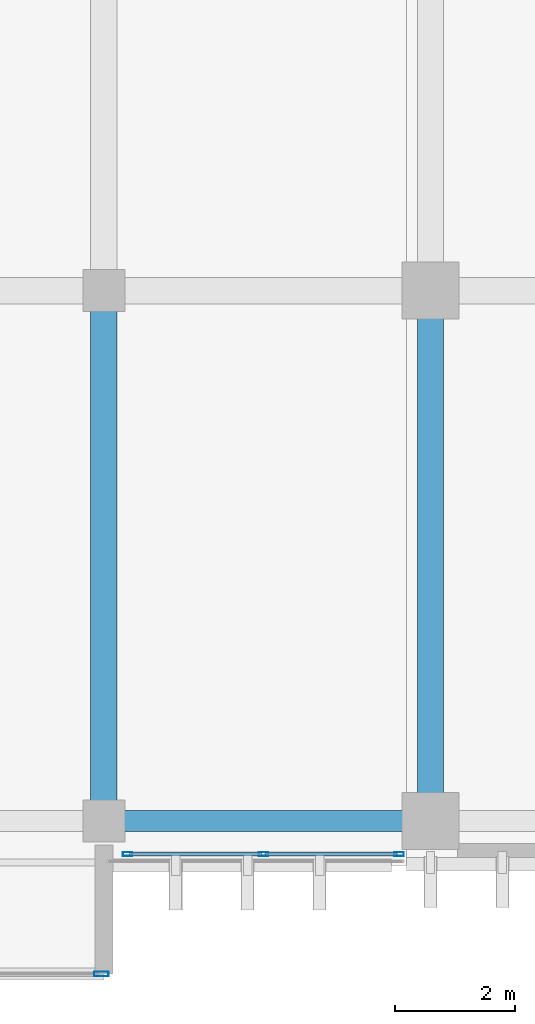
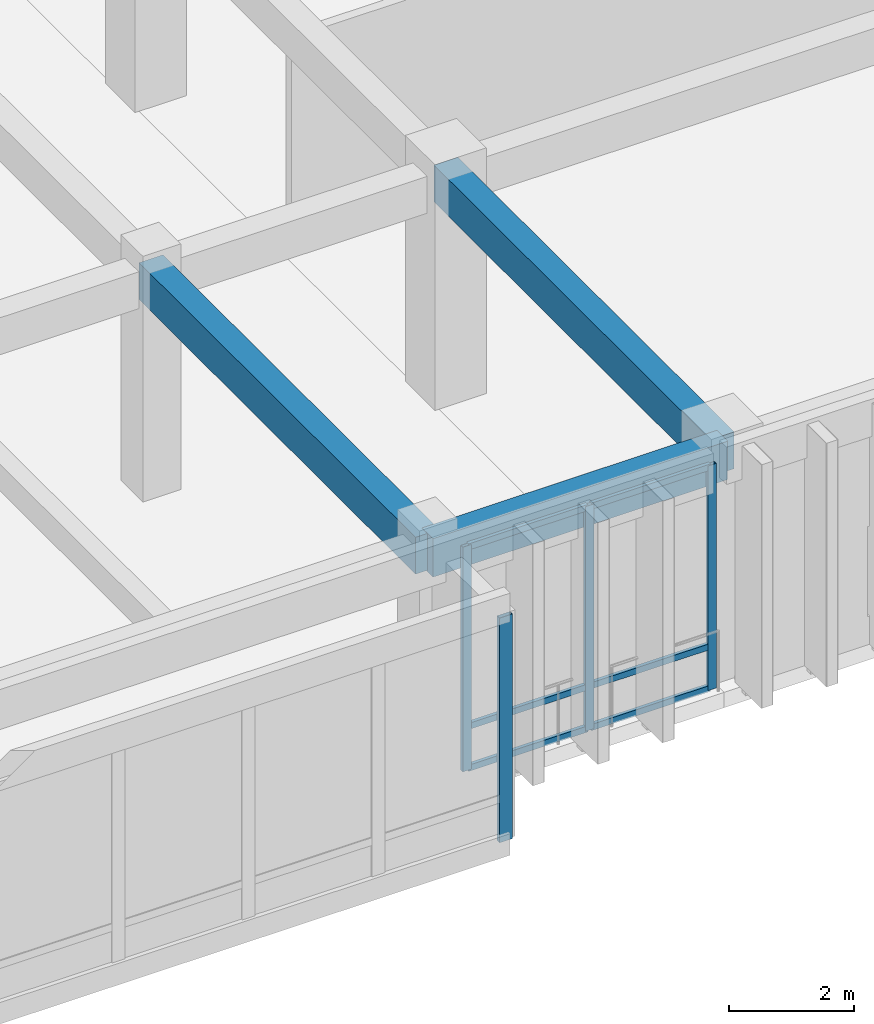
# One storey, part 55 of 133: 10 members, 3 beams, 2 elements without a shape of their own.
"""IFC4 building model written with IfcOpenShell, lengths in metres."""

from ifc_helpers import new_model, si_unit, direction, frame, origin, origin_2d, place, context, subcontext, project, spatial, rectangle, hollow_rectangle, extrude, material, layer, layer_set, material_profile, profile_set, type_object, element, aggregate, save


model = new_model("IFC4")

# Units and contexts
model_context = context("Model", 3, precision=1e-05, world=origin(), true_north=direction((0.0, 1.0)))
body_context = subcontext(model_context, "Body", "Model", "MODEL_VIEW")
ifc_project = project(units=[si_unit("LENGTHUNIT", "METRE"), si_unit("AREAUNIT", "SQUARE_METRE"), si_unit("VOLUMEUNIT", "CUBIC_METRE"), si_unit("PLANEANGLEUNIT", "RADIAN"), si_unit("MASSUNIT", "GRAM", prefix="KILO")], contexts=[model_context])

# Site, building, storey
site_placement = place(None, origin())
site = spatial("IfcSite", under=ifc_project, at=site_placement, CompositionType="ELEMENT")
building_placement = place(site_placement, origin())
building = spatial("IfcBuilding", under=site, at=building_placement, Name="Nakhvara Creek Congress Hotel", CompositionType="ELEMENT")
storey_placement = place(building_placement, frame((0.0, 0.0, 11.39990234375)))
storey = spatial("IfcBuildingStorey", under=building, at=storey_placement, Name="L02", CompositionType="ELEMENT", Elevation=11.39990234375)

# Beams
ifc_material_1 = material(Name="Concrete C40/50", Category="concrete")
ifc_material_profile_1 = material_profile(ifc_material_1, rectangle(XDim=0.43994140625, YDim=0.719970703125, at=origin_2d()), Name="RC-BM 440x720", Category="LoadBearing")
ifc_profile_set_1 = profile_set([ifc_material_profile_1], Name="Concrete C40/50")
beam_type_1 = type_object("IfcBeamType", Name="BM-RC-440X720", PredefinedType="BEAM", material=ifc_profile_set_1)
for number, where, z_axis, x_axis, name in (
    (1, (144.0, 0.75, 4.06005859375), (0.0, 1.0, 0.0), (-1.0, 0.0, 0.0), "Beam B12-L02-1556"),
    (2, (149.449951171875, 0.75, 4.06005859375), (0.0, 1.0, 0.0), (-1.0, 0.0, 0.0), "Beam B12-L02-1574"),
):
    element("IfcBeam", number, at=place(storey_placement, frame(where, z_axis=z_axis, x_axis=x_axis)), inside=storey, type_object=beam_type_1, Name=name, PredefinedType="BEAM", context=body_context, shape_type="SweptSolid", body=[
        extrude(rectangle(XDim=0.43994140625, YDim=0.719970703125, at=origin_2d()), origin(), (0.0, 0.0, 1.0), 8.85009765625),
    ])
ifc_material_profile_2 = material_profile(ifc_material_1, rectangle(XDim=0.35009765625, YDim=0.75, at=origin_2d()), Name="RC-SPANDREL 350x750", Category="LoadBearing")
ifc_profile_set_2 = profile_set([ifc_material_profile_2], Name="Concrete C40/50")
beam_type_2 = type_object("IfcBeamType", Name="BM-SPN-350X750", PredefinedType="SPANDREL", material=ifc_profile_set_2)
beam_placement = place(storey_placement, frame((144.0, 0.75, 4.045166015625), z_axis=(1.0, 0.0, 0.0), x_axis=(0.0, 1.0, 0.0)))
element("IfcBeam", 3, at=beam_placement, inside=storey, type_object=beam_type_2, Name="Beam SP1-L02-1557", PredefinedType="SPANDREL", context=body_context, shape_type="SweptSolid", body=[
    extrude(rectangle(XDim=0.35009765625, YDim=0.75, at=origin_2d()), origin(), (0.0, 0.0, 1.0), 5.449951171875),
])

# Curtain wall, members
ifc_material_2 = material(Name="Bronze-anodised aluminium AW-6063-T6 and double-silver low-E glass", Category="aluminium")
ifc_layer_1 = layer(ifc_material_2, 0.199951171875)
ifc_layer_set_1 = layer_set([ifc_layer_1], Name="Bronze-anodised aluminium AW-6063-T6 and double-silver low-E glass")
curtain_wall_type_1 = type_object("IfcCurtainWallType", Name="CW-SPA-STICK", PredefinedType="NOTDEFINED", material=ifc_layer_set_1)
curtain_wall_1_placement = place(storey_placement, origin())
curtain_wall_1 = element("IfcCurtainWall", 4, at=curtain_wall_1_placement, inside=storey, type_object=curtain_wall_type_1, Name="Curtain Wall CW097", PredefinedType="NOTDEFINED")
ifc_material_3 = material(Name="Bronze-anodised aluminium AW-6063-T6", Category="aluminium")
ifc_material_profile_3 = material_profile(ifc_material_3, hollow_rectangle(XDim=0.06494140625, YDim=0.159912109375, WallThickness=0.00390625, at=origin_2d()), Name="ALU-MULL 65x160x4", Category="LoadBearing")
ifc_profile_set_3 = profile_set([ifc_material_profile_3], Name="Bronze-anodised aluminium AW-6063-T6")
member_type_1 = type_object("IfcMemberType", Name="CW-MULL-160", PredefinedType="MULLION", material=ifc_profile_set_3)
member_1_placement = place(storey_placement, frame((148.927490234375, 0.199951171875, 0.0), z_axis=(0.0, 0.0, 1.0), x_axis=(0.0, -1.0, 0.0)))
member_1 = element("IfcMember", 5, at=member_1_placement, type_object=member_type_1, Name="CW097 mullion 1", PredefinedType="MULLION", context=body_context, shape_type="SweptSolid", body=[
    extrude(hollow_rectangle(XDim=0.06494140625, YDim=0.159912109375, WallThickness=0.00390625, at=origin_2d()), origin(), (0.0, 0.0, 1.0), 4.39013671875),
])
member_2_placement = place(storey_placement, frame((146.66259765625, 0.199951171875, 0.0), z_axis=(0.0, 0.0, 1.0), x_axis=(0.0, -1.0, 0.0)))
member_2 = element("IfcMember", 6, at=member_2_placement, type_object=member_type_1, Name="CW097 mullion 2", PredefinedType="MULLION", context=body_context, shape_type="SweptSolid", body=[
    extrude(hollow_rectangle(XDim=0.06494140625, YDim=0.159912109375, WallThickness=0.00390625, at=origin_2d()), origin(), (0.0, 0.0, 1.0), 4.39013671875),
])
member_3_placement = place(storey_placement, frame((144.3974609375, 0.199951171875, 0.0), z_axis=(0.0, 0.0, 1.0), x_axis=(0.0, -1.0, 0.0)))
member_3 = element("IfcMember", 7, at=member_3_placement, type_object=member_type_1, Name="CW097 mullion 3", PredefinedType="MULLION", context=body_context, shape_type="SweptSolid", body=[
    extrude(hollow_rectangle(XDim=0.06494140625, YDim=0.159912109375, WallThickness=0.00390625, at=origin_2d()), origin(), (0.0, 0.0, 1.0), 4.39013671875),
])

# Curtain wall, member
ifc_layer_2 = layer(ifc_material_2, 0.219970703125)
ifc_layer_set_2 = layer_set([ifc_layer_2], Name="Bronze-anodised aluminium AW-6063-T6 and double-silver low-E glass")
curtain_wall_type_2 = type_object("IfcCurtainWallType", Name="CW-BOX-PROJ", PredefinedType="USERDEFINED", material=ifc_layer_set_2)
curtain_wall_2_placement = place(storey_placement, origin())
curtain_wall_2 = element("IfcCurtainWall", 8, at=curtain_wall_2_placement, inside=storey, type_object=curtain_wall_type_2, Name="Curtain Wall CW090", ObjectType="UNITISED", PredefinedType="USERDEFINED")
ifc_material_profile_4 = material_profile(ifc_material_3, hollow_rectangle(XDim=0.080078125, YDim=0.239990234375, WallThickness=0.0048828125, at=origin_2d()), Name="ALU-MULL 80x240x5", Category="LoadBearing")
ifc_profile_set_4 = profile_set([ifc_material_profile_4], Name="Bronze-anodised aluminium AW-6063-T6")
member_type_2 = type_object("IfcMemberType", Name="CW-MULL-240", PredefinedType="MULLION", material=ifc_profile_set_4)
member_4_placement = place(storey_placement, frame((143.9599609375, -1.800048828125, 0.0), z_axis=(0.0, 0.0, 1.0), x_axis=(0.0, -1.0, 0.0)))
member_4 = element("IfcMember", 9, at=member_4_placement, type_object=member_type_2, Name="CW090 mullion 1", PredefinedType="MULLION", context=body_context, shape_type="SweptSolid", body=[
    extrude(hollow_rectangle(XDim=0.080078125, YDim=0.239990234375, WallThickness=0.0048828125, at=origin_2d()), origin(), (0.0, 0.0, 1.0), 4.39013671875),
])
aggregate(curtain_wall_2, [member_4])

# Member
ifc_material_profile_5 = material_profile(ifc_material_3, hollow_rectangle(XDim=0.06494140625, YDim=0.1201171875, WallThickness=0.00390625, at=origin_2d()), Name="ALU-TRAN 65x120x4", Category="LoadBearing")
ifc_profile_set_5 = profile_set([ifc_material_profile_5], Name="Bronze-anodised aluminium AW-6063-T6")
member_type_3 = type_object("IfcMemberType", Name="CW-TRAN-120", PredefinedType="USERDEFINED", material=ifc_profile_set_5)
member_5_placement = place(storey_placement, frame((148.89501953125, 0.199951171875, 0.03271484375), z_axis=(-1.0, 0.0, 0.0), x_axis=(0.0, -1.0, 0.0)))
member_5 = element("IfcMember", 10, at=member_5_placement, type_object=member_type_3, Name="CW097 transom 1.1", ObjectType="TRANSOM", PredefinedType="USERDEFINED", context=body_context, shape_type="SweptSolid", body=[
    extrude(hollow_rectangle(XDim=0.06494140625, YDim=0.1201171875, WallThickness=0.00390625, at=origin_2d()), origin(), (0.0, 0.0, 1.0), 2.199951171875),
])

member_6_placement = place(storey_placement, frame((148.89501953125, 0.199951171875, 0.85009765625), z_axis=(-1.0, 0.0, 0.0), x_axis=(0.0, -1.0, 0.0)))
member_6 = element("IfcMember", 11, at=member_6_placement, type_object=member_type_3, Name="CW097 transom 1.2", ObjectType="TRANSOM", PredefinedType="USERDEFINED", context=body_context, shape_type="SweptSolid", body=[
    extrude(hollow_rectangle(XDim=0.06494140625, YDim=0.1201171875, WallThickness=0.00390625, at=origin_2d()), origin(), (0.0, 0.0, 1.0), 2.199951171875),
])

member_7_placement = place(storey_placement, frame((148.89501953125, 0.199951171875, 4.357666015625), z_axis=(-1.0, 0.0, 0.0), x_axis=(0.0, -1.0, 0.0)))
member_7 = element("IfcMember", 12, at=member_7_placement, type_object=member_type_3, Name="CW097 transom 1.3", ObjectType="TRANSOM", PredefinedType="USERDEFINED", context=body_context, shape_type="SweptSolid", body=[
    extrude(hollow_rectangle(XDim=0.06494140625, YDim=0.1201171875, WallThickness=0.00390625, at=origin_2d()), origin(), (0.0, 0.0, 1.0), 2.199951171875),
])

member_8_placement = place(storey_placement, frame((146.6298828125, 0.199951171875, 0.03271484375), z_axis=(-1.0, 0.0, 0.0), x_axis=(0.0, -1.0, 0.0)))
member_8 = element("IfcMember", 13, at=member_8_placement, type_object=member_type_3, Name="CW097 transom 2.1", ObjectType="TRANSOM", PredefinedType="USERDEFINED", context=body_context, shape_type="SweptSolid", body=[
    extrude(hollow_rectangle(XDim=0.06494140625, YDim=0.1201171875, WallThickness=0.00390625, at=origin_2d()), origin(), (0.0, 0.0, 1.0), 2.199951171875),
])

member_9_placement = place(storey_placement, frame((146.6298828125, 0.199951171875, 0.85009765625), z_axis=(-1.0, 0.0, 0.0), x_axis=(0.0, -1.0, 0.0)))
member_9 = element("IfcMember", 14, at=member_9_placement, type_object=member_type_3, Name="CW097 transom 2.2", ObjectType="TRANSOM", PredefinedType="USERDEFINED", context=body_context, shape_type="SweptSolid", body=[
    extrude(hollow_rectangle(XDim=0.06494140625, YDim=0.1201171875, WallThickness=0.00390625, at=origin_2d()), origin(), (0.0, 0.0, 1.0), 2.199951171875),
])

member_10_placement = place(storey_placement, frame((146.6298828125, 0.199951171875, 4.357666015625), z_axis=(-1.0, 0.0, 0.0), x_axis=(0.0, -1.0, 0.0)))
member_10 = element("IfcMember", 15, at=member_10_placement, type_object=member_type_3, Name="CW097 transom 2.3", ObjectType="TRANSOM", PredefinedType="USERDEFINED", context=body_context, shape_type="SweptSolid", body=[
    extrude(hollow_rectangle(XDim=0.06494140625, YDim=0.1201171875, WallThickness=0.00390625, at=origin_2d()), origin(), (0.0, 0.0, 1.0), 2.199951171875),
])

aggregate(curtain_wall_1, [member_1, member_2, member_3, member_5, member_6, member_7, member_8, member_9, member_10])

save(model, "model.ifc")
